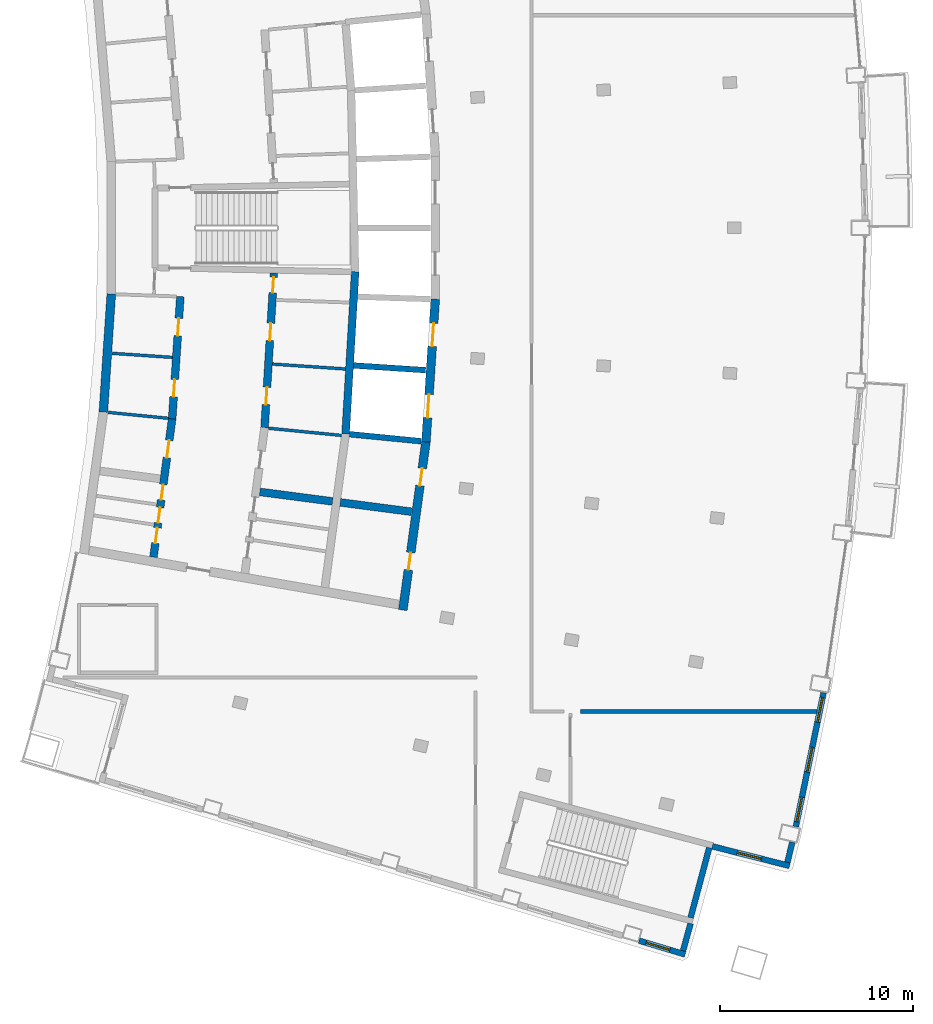
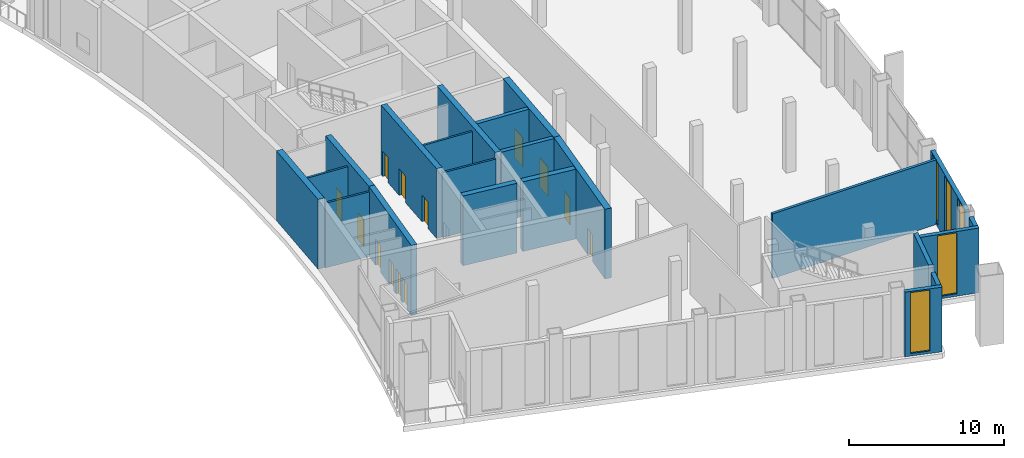
# One storey, part 7 of 13: 22 walls, 13 doors, 5 windows, 18 openings.
"""IFC4 building model written with IfcOpenShell, lengths in metres."""

from ifc_helpers import new_model, si_unit, direction, frame, frame_2d, origin, place, context, subcontext, project, spatial, rectangle, extrude, material, layer, layer_set, type_object, element, fill, save


model = new_model("IFC4")

# Units and contexts
model_context = context("Model", 3, precision=1e-05, world=origin(), true_north=direction((0.0, 1.0)))
body_context = subcontext(model_context, "Body", "Model", "MODEL_VIEW")
ifc_project = project(units=[si_unit("LENGTHUNIT", "METRE"), si_unit("AREAUNIT", "SQUARE_METRE"), si_unit("VOLUMEUNIT", "CUBIC_METRE"), si_unit("PLANEANGLEUNIT", "RADIAN"), si_unit("MASSUNIT", "GRAM", prefix="KILO")], contexts=[model_context])

# Site, building, storey
site_placement = place(None, origin())
site = spatial("IfcSite", under=ifc_project, at=site_placement, CompositionType="ELEMENT")
building_placement = place(site_placement, origin())
building = spatial("IfcBuilding", under=site, at=building_placement, Name="Alderwake Tower", CompositionType="ELEMENT")
storey_placement = place(building_placement, frame((0.0, 0.0, 304.5)))
storey = spatial("IfcBuildingStorey", under=building, at=storey_placement, Name="L74", CompositionType="ELEMENT", Elevation=304.5)

# Walls
ifc_material_1 = material(Name="Gypsum shaft wall system, rated")
ifc_layer_1 = layer(ifc_material_1, 0.14990234375)
ifc_layer_set_1 = layer_set([ifc_layer_1], Name="Core room partition 150")
wall_type_1 = type_object("IfcWallType", Name="Core room partition 150", PredefinedType="PARTITIONING", material=ifc_layer_set_1)
wall_1_placement = place(storey_placement, frame((16.510009765625, 51.463134765625, 0.0), z_axis=(0.0, 0.0, 1.0), x_axis=(0.995158089271, -0.098287218693, 0.0)))
element("IfcWall", 1, at=wall_1_placement, inside=storey, type_object=wall_type_1, Name="CW/L74/PR-103_+0", PredefinedType="PARTITIONING", context=body_context, shape_type="SweptSolid", body=[
    extrude(rectangle(XDim=3.119873046875, YDim=0.14990234375, at=frame_2d((1.56005859375, 0.0))), origin(), (0.0, 0.0, 1.0), 5.10009765625),
])
wall_2_placement = place(storey_placement, frame((24.789794921875, 50.64501953125, 0.0), z_axis=(0.0, 0.0, 1.0), x_axis=(0.995153039802, -0.098338331148, 0.0)))
element("IfcWall", 2, at=wall_2_placement, inside=storey, type_object=wall_type_1, Name="CW/L74/PR-103_+86", PredefinedType="PARTITIONING", context=body_context, shape_type="SweptSolid", body=[
    extrude(rectangle(XDim=3.7958984375, YDim=0.14990234375, at=frame_2d((1.89794921875, 0.0))), origin(), (0.0, 0.0, 1.0), 5.10009765625),
])
wall_3_placement = place(storey_placement, frame((16.714599609375, 54.51611328125, 0.0), z_axis=(0.0, 0.0, 1.0), x_axis=(0.997762234673, -0.066861970214, 0.0)))
element("IfcWall", 3, at=wall_3_placement, inside=storey, type_object=wall_type_1, Name="CW/L74/PR-70_+0", PredefinedType="PARTITIONING", context=body_context, shape_type="SweptSolid", body=[
    extrude(rectangle(XDim=3.118408203125, YDim=0.14990234375, at=frame_2d((1.55908203125, 0.0))), origin(), (0.0, 0.0, 1.0), 5.10009765625),
])
wall_4_placement = place(storey_placement, frame((24.990234375, 53.96142578125, 0.0), z_axis=(0.0, 0.0, 1.0), x_axis=(0.997761767472, -0.066868941756, 0.0)))
element("IfcWall", 4, at=wall_4_placement, inside=storey, type_object=wall_type_1, Name="CW/L74/PR-70_+86", PredefinedType="PARTITIONING", context=body_context, shape_type="SweptSolid", body=[
    extrude(rectangle(XDim=3.797119140625, YDim=0.14990234375, at=frame_2d((1.8984375, 0.0))), origin(), (0.0, 0.0, 1.0), 5.10009765625),
])
ifc_material_2 = material(Name="Concrete C70/85", Category="concrete")
ifc_layer_2 = layer(ifc_material_2, 0.449951171875)
ifc_layer_set_2 = layer_set([ifc_layer_2], Name="Core wall outer 450 C70-85")
wall_type_2 = type_object("IfcWallType", Name="Core wall outer 450 C70-85", PredefinedType="SHEAR", material=ifc_layer_set_2)
wall_5_placement = place(storey_placement, frame((16.255615234375, 51.47998046875, 0.0), z_axis=(0.0, 0.0, 1.0), x_axis=(0.066897619552, 0.997759845102, 0.0)))
element("IfcWall", 5, at=wall_5_placement, inside=storey, type_object=wall_type_2, Name="Core wall CW.027", PredefinedType="SHEAR", context=body_context, shape_type="SweptSolid", body=[
    extrude(rectangle(XDim=6.1201171875, YDim=0.449951171875, at=frame_2d((3.06005859375, 0.0))), origin(), (0.0, 0.0, 1.0), 5.5),
])

# Wall, openings, doors
wall_6_placement = place(storey_placement, frame((32.936767578125, 49.95751953125, 0.0), z_axis=(0.0, 0.0, 1.0), x_axis=(-0.135866240661, -0.99072718982, 0.0)))
wall_6 = element("IfcWall", 6, at=wall_6_placement, inside=storey, type_object=wall_type_2, Name="Core wall CW.022", PredefinedType="SHEAR", context=body_context, shape_type="SweptSolid", body=[
    extrude(rectangle(XDim=8.7958984375, YDim=0.449951171875, at=frame_2d((4.39794921875, 0.0))), origin(), (0.0, 0.0, 1.0), 5.5),
])
opening_1_placement = place(wall_6_placement, frame((1.40234375, 0.0, 0.0)))
opening_1 = element("IfcOpeningElement", 7, at=opening_1_placement, cuts=wall_6, Name="Opening C050", PredefinedType="OPENING", context=body_context, shape_type="SweptSolid", body=[
    extrude(rectangle(XDim=0.89990234375, YDim=2.10009765625, at=frame_2d((0.449951171875, 1.050048828125))), frame((0.0, 0.23486328125, 0.0), z_axis=(0.0, -1.0, 0.0), x_axis=(1.0, 0.0, 0.0)), (0.0, 0.0, 1.0), 0.469970703125),
])
opening_2_placement = place(wall_6_placement, frame((5.796875, 0.0, 0.0)))
opening_2 = element("IfcOpeningElement", 8, at=opening_2_placement, cuts=wall_6, Name="Opening C061", PredefinedType="OPENING", context=body_context, shape_type="SweptSolid", body=[
    extrude(rectangle(XDim=0.89990234375, YDim=2.10009765625, at=frame_2d((0.449951171875, 1.050048828125))), frame((0.0, 0.23486328125, 0.0), z_axis=(0.0, -1.0, 0.0), x_axis=(1.0, 0.0, 0.0)), (0.0, 0.0, 1.0), 0.469970703125),
])
ifc_material_3 = material(Name="Painted steel leaf", Category="steel")
door_type_1 = type_object("IfcDoorType", Name="Core room door 900", OperationType="SINGLE_SWING_LEFT", PredefinedType="DOOR", material=ifc_material_3)
door_1_placement = place(opening_1_placement, origin())
door_1 = element("IfcDoor", 9, at=door_1_placement, inside=storey, type_object=door_type_1, Name="Room door", OperationType="SINGLE_SWING_RIGHT", OverallHeight=2.10009765625, OverallWidth=0.89990234375, PredefinedType="DOOR", context=body_context, shape_type="SweptSolid", body=[
    extrude(rectangle(XDim=0.89990234375, YDim=2.10009765625, at=frame_2d((0.449951171875, 1.050048828125))), frame((0.0, 0.02490234375, 0.0), z_axis=(0.0, -1.0, 0.0), x_axis=(1.0, 0.0, 0.0)), (0.0, 0.0, 1.0), 0.050048828125),
])
fill(opening_1, door_1)
door_2_placement = place(opening_2_placement, origin())
door_2 = element("IfcDoor", 10, at=door_2_placement, inside=storey, type_object=door_type_1, Name="Room door", OperationType="SINGLE_SWING_LEFT", OverallHeight=2.10009765625, OverallWidth=0.89990234375, PredefinedType="DOOR", context=body_context, shape_type="SweptSolid", body=[
    extrude(rectangle(XDim=0.89990234375, YDim=2.10009765625, at=frame_2d((0.449951171875, 1.050048828125))), frame((0.0, 0.02490234375, 0.0), z_axis=(0.0, -1.0, 0.0), x_axis=(1.0, 0.0, 0.0)), (0.0, 0.0, 1.0), 0.050048828125),
])
fill(opening_2, door_2)

wall_7_placement = place(storey_placement, frame((32.93505859375, 49.940673828125, 0.0), z_axis=(0.0, 0.0, 1.0), x_axis=(0.064980500916, 0.997886533881, 0.0)))
wall_7 = element("IfcWall", 11, at=wall_7_placement, inside=storey, type_object=wall_type_2, Name="Core wall CW.021", PredefinedType="SHEAR", context=body_context, shape_type="SweptSolid", body=[
    extrude(rectangle(XDim=7.39404296875, YDim=0.449951171875, at=frame_2d((3.697021484375, 0.0))), origin(), (0.0, 0.0, 1.0), 5.5),
])
opening_3_placement = place(wall_7_placement, frame((1.252685546875, 0.0, 0.0)))
opening_3 = element("IfcOpeningElement", 12, at=opening_3_placement, cuts=wall_7, Name="Opening LD-HP1", PredefinedType="OPENING", context=body_context, shape_type="SweptSolid", body=[
    extrude(rectangle(XDim=1.199951171875, YDim=2.300048828125, at=frame_2d((0.60009765625, 1.14990234375))), frame((0.0, 0.23486328125, 0.0), z_axis=(0.0, -1.0, 0.0), x_axis=(1.0, 0.0, 0.0)), (0.0, 0.0, 1.0), 0.469970703125),
])
opening_4_placement = place(wall_7_placement, frame((4.94189453125, 0.0, 0.0)))
opening_4 = element("IfcOpeningElement", 13, at=opening_4_placement, cuts=wall_7, Name="Opening LD-HP2", PredefinedType="OPENING", context=body_context, shape_type="SweptSolid", body=[
    extrude(rectangle(XDim=1.199951171875, YDim=2.300048828125, at=frame_2d((0.60009765625, 1.14990234375))), frame((0.0, 0.23486328125, 0.0), z_axis=(0.0, -1.0, 0.0), x_axis=(1.0, 0.0, 0.0)), (0.0, 0.0, 1.0), 0.469970703125),
])
ifc_material_4 = material(Name="Stainless steel sliding leaf", Category="steel")
door_type_2 = type_object("IfcDoorType", Name="Lift landing door 1200", OperationType="SLIDING_TO_LEFT", PredefinedType="DOOR", material=ifc_material_4)
door_3_placement = place(opening_3_placement, origin())
door_3 = element("IfcDoor", 14, at=door_3_placement, inside=storey, type_object=door_type_2, Name="Lift landing door HP1", OperationType="SLIDING_TO_LEFT", OverallHeight=2.300048828125, OverallWidth=1.199951171875, PredefinedType="DOOR", context=body_context, shape_type="SweptSolid", body=[
    extrude(rectangle(XDim=1.199951171875, YDim=2.300048828125, at=frame_2d((0.60009765625, 1.14990234375))), frame((0.0, 0.02490234375, 0.0), z_axis=(0.0, -1.0, 0.0), x_axis=(1.0, 0.0, 0.0)), (0.0, 0.0, 1.0), 0.050048828125),
])
fill(opening_3, door_3)
door_4_placement = place(opening_4_placement, origin())
door_4 = element("IfcDoor", 15, at=door_4_placement, inside=storey, type_object=door_type_2, Name="Lift landing door HP2", OperationType="SLIDING_TO_LEFT", OverallHeight=2.300048828125, OverallWidth=1.199951171875, PredefinedType="DOOR", context=body_context, shape_type="SweptSolid", body=[
    extrude(rectangle(XDim=1.199951171875, YDim=2.300048828125, at=frame_2d((0.60009765625, 1.14990234375))), frame((0.0, 0.02490234375, 0.0), z_axis=(0.0, -1.0, 0.0), x_axis=(1.0, 0.0, 0.0)), (0.0, 0.0, 1.0), 0.050048828125),
])
fill(opening_4, door_4)

# Walls
ifc_material_5 = material(Name="Concrete C70/85", Category="concrete")
ifc_layer_3 = layer(ifc_material_5, 0.300048828125)
ifc_layer_set_3 = layer_set([ifc_layer_3], Name="Core wall shaft 300 C70-85")
wall_type_3 = type_object("IfcWallType", Name="Core wall shaft 300 C70-85", PredefinedType="SHEAR", material=ifc_layer_set_3)
wall_8_placement = place(storey_placement, frame((28.9794921875, 50.336181640625, 0.0), z_axis=(0.0, 0.0, 1.0), x_axis=(0.995245505393, -0.097398069771, 0.0)))
element("IfcWall", 16, at=wall_8_placement, inside=storey, type_object=wall_type_3, Name="Core wall CW.064", PredefinedType="SHEAR", context=body_context, shape_type="SweptSolid", body=[
    extrude(rectangle(XDim=3.7197265625, YDim=0.300048828125, at=frame_2d((1.85986328125, 0.0))), origin(), (0.0, 0.0, 1.0), 5.5),
])
wall_9_placement = place(storey_placement, frame((29.190185546875, 53.8896484375, 0.0), z_axis=(0.0, 0.0, 1.0), x_axis=(0.997886830624, -0.064975943752, 0.0)))
element("IfcWall", 17, at=wall_9_placement, inside=storey, type_object=wall_type_3, Name="Core wall CW.078", PredefinedType="SHEAR", context=body_context, shape_type="SweptSolid", body=[
    extrude(rectangle(XDim=3.738525390625, YDim=0.300048828125, at=frame_2d((1.869140625, 0.0))), origin(), (0.0, 0.0, 1.0), 5.5),
])

# Wall, openings, doors
ifc_material_6 = material(Name="Concrete C70/85", Category="concrete")
ifc_layer_4 = layer(ifc_material_6, 0.39990234375)
ifc_layer_set_4 = layer_set([ifc_layer_4], Name="Core wall spine 400 C70-85")
wall_type_4 = type_object("IfcWallType", Name="Core wall spine 400 C70-85", PredefinedType="SHEAR", material=ifc_layer_set_4)
wall_10_placement = place(storey_placement, frame((19.814697265625, 51.143798828125, 0.0), z_axis=(0.0, 0.0, 1.0), x_axis=(-0.13407924926, -0.99097061254, 0.0)))
wall_10 = element("IfcWall", 18, at=wall_10_placement, inside=storey, type_object=wall_type_4, Name="Core wall CW.033", PredefinedType="SHEAR", context=body_context, shape_type="SweptSolid", body=[
    extrude(rectangle(XDim=7.228759765625, YDim=0.39990234375, at=frame_2d((3.6142578125, 0.0))), origin(), (0.0, 0.0, 1.0), 5.5),
])
opening_5_placement = place(wall_10_placement, frame((5.697021484375, 0.0, 0.0)))
opening_5 = element("IfcOpeningElement", 19, at=opening_5_placement, cuts=wall_10, Name="Opening C009", PredefinedType="OPENING", context=body_context, shape_type="SweptSolid", body=[
    extrude(rectangle(XDim=0.800048828125, YDim=2.0, at=frame_2d((0.39990234375, 1.0))), frame((0.0, 0.2099609375, 0.0), z_axis=(0.0, -1.0, 0.0), x_axis=(1.0, 0.0, 0.0)), (0.0, 0.0, 1.0), 0.419921875),
])
opening_6_placement = place(wall_10_placement, frame((4.64208984375, 0.0, 0.0)))
opening_6 = element("IfcOpeningElement", 20, at=opening_6_placement, cuts=wall_10, Name="Opening C011", PredefinedType="OPENING", context=body_context, shape_type="SweptSolid", body=[
    extrude(rectangle(XDim=0.800048828125, YDim=2.0, at=frame_2d((0.39990234375, 1.0))), frame((0.0, 0.2099609375, 0.0), z_axis=(0.0, -1.0, 0.0), x_axis=(1.0, 0.0, 0.0)), (0.0, 0.0, 1.0), 0.419921875),
])
opening_7_placement = place(wall_10_placement, frame((3.443115234375, 0.0, 0.0)))
opening_7 = element("IfcOpeningElement", 21, at=opening_7_placement, cuts=wall_10, Name="Opening C012", PredefinedType="OPENING", context=body_context, shape_type="SweptSolid", body=[
    extrude(rectangle(XDim=0.800048828125, YDim=2.0, at=frame_2d((0.39990234375, 1.0))), frame((0.0, 0.2099609375, 0.0), z_axis=(0.0, -1.0, 0.0), x_axis=(1.0, 0.0, 0.0)), (0.0, 0.0, 1.0), 0.419921875),
])
opening_8_placement = place(wall_10_placement, frame((1.13916015625, 0.0, 0.0)))
opening_8 = element("IfcOpeningElement", 22, at=opening_8_placement, cuts=wall_10, Name="Opening C039", PredefinedType="OPENING", context=body_context, shape_type="SweptSolid", body=[
    extrude(rectangle(XDim=0.89990234375, YDim=2.10009765625, at=frame_2d((0.449951171875, 1.050048828125))), frame((0.0, 0.2099609375, 0.0), z_axis=(0.0, -1.0, 0.0), x_axis=(1.0, 0.0, 0.0)), (0.0, 0.0, 1.0), 0.419921875),
])
door_5_placement = place(opening_8_placement, origin())
door_5 = element("IfcDoor", 23, at=door_5_placement, inside=storey, type_object=door_type_1, Name="Room door", OperationType="SINGLE_SWING_RIGHT", OverallHeight=2.10009765625, OverallWidth=0.89990234375, PredefinedType="DOOR", context=body_context, shape_type="SweptSolid", body=[
    extrude(rectangle(XDim=0.89990234375, YDim=2.10009765625, at=frame_2d((0.449951171875, 1.050048828125))), frame((0.0, 0.02490234375, 0.0), z_axis=(0.0, -1.0, 0.0), x_axis=(1.0, 0.0, 0.0)), (0.0, 0.0, 1.0), 0.050048828125),
])
fill(opening_8, door_5)
ifc_material_7 = material(Name="Painted steel leaf, rated", Category="steel")
door_type_3 = type_object("IfcDoorType", Name="Riser access door 800", OperationType="SINGLE_SWING_LEFT", PredefinedType="DOOR", material=ifc_material_7)
door_6_placement = place(opening_5_placement, origin())
door_6 = element("IfcDoor", 24, at=door_6_placement, inside=storey, type_object=door_type_3, Name="Riser access door", OperationType="SINGLE_SWING_LEFT", OverallHeight=2.0, OverallWidth=0.800048828125, PredefinedType="DOOR", context=body_context, shape_type="SweptSolid", body=[
    extrude(rectangle(XDim=0.800048828125, YDim=2.0, at=frame_2d((0.39990234375, 1.0))), frame((0.0, 0.02490234375, 0.0), z_axis=(0.0, -1.0, 0.0), x_axis=(1.0, 0.0, 0.0)), (0.0, 0.0, 1.0), 0.050048828125),
])
fill(opening_5, door_6)
door_7_placement = place(opening_6_placement, origin())
door_7 = element("IfcDoor", 25, at=door_7_placement, inside=storey, type_object=door_type_3, Name="Riser access door", OperationType="SINGLE_SWING_RIGHT", OverallHeight=2.0, OverallWidth=0.800048828125, PredefinedType="DOOR", context=body_context, shape_type="SweptSolid", body=[
    extrude(rectangle(XDim=0.800048828125, YDim=2.0, at=frame_2d((0.39990234375, 1.0))), frame((0.0, 0.02490234375, 0.0), z_axis=(0.0, -1.0, 0.0), x_axis=(1.0, 0.0, 0.0)), (0.0, 0.0, 1.0), 0.050048828125),
])
fill(opening_6, door_7)
door_8_placement = place(opening_7_placement, origin())
door_8 = element("IfcDoor", 26, at=door_8_placement, inside=storey, type_object=door_type_3, Name="Riser access door", OperationType="SINGLE_SWING_LEFT", OverallHeight=2.0, OverallWidth=0.800048828125, PredefinedType="DOOR", context=body_context, shape_type="SweptSolid", body=[
    extrude(rectangle(XDim=0.800048828125, YDim=2.0, at=frame_2d((0.39990234375, 1.0))), frame((0.0, 0.02490234375, 0.0), z_axis=(0.0, -1.0, 0.0), x_axis=(1.0, 0.0, 0.0)), (0.0, 0.0, 1.0), 0.050048828125),
])
fill(opening_7, door_8)

wall_11_placement = place(storey_placement, frame((20.2373046875, 57.451904296875, 0.0), z_axis=(0.0, 0.0, 1.0), x_axis=(-0.066884681503, -0.997760712486, 0.0)))
wall_11 = element("IfcWall", 27, at=wall_11_placement, inside=storey, type_object=wall_type_4, Name="Core wall CW.032", PredefinedType="SHEAR", context=body_context, shape_type="SweptSolid", body=[
    extrude(rectangle(XDim=6.336669921875, YDim=0.39990234375, at=frame_2d((3.16845703125, 0.0))), origin(), (0.0, 0.0, 1.0), 5.5),
])
opening_9_placement = place(wall_11_placement, frame((4.297119140625, 0.0, 0.0)))
opening_9 = element("IfcOpeningElement", 28, at=opening_9_placement, cuts=wall_11, Name="Opening C041", PredefinedType="OPENING", context=body_context, shape_type="SweptSolid", body=[
    extrude(rectangle(XDim=0.89990234375, YDim=2.10009765625, at=frame_2d((0.449951171875, 1.050048828125))), frame((0.0, 0.2099609375, 0.0), z_axis=(0.0, -1.0, 0.0), x_axis=(1.0, 0.0, 0.0)), (0.0, 0.0, 1.0), 0.419921875),
])
opening_10_placement = place(wall_11_placement, frame((1.132080078125, 0.0, 0.0)))
opening_10 = element("IfcOpeningElement", 29, at=opening_10_placement, cuts=wall_11, Name="Opening C042", PredefinedType="OPENING", context=body_context, shape_type="SweptSolid", body=[
    extrude(rectangle(XDim=0.89990234375, YDim=2.10009765625, at=frame_2d((0.449951171875, 1.050048828125))), frame((0.0, 0.2099609375, 0.0), z_axis=(0.0, -1.0, 0.0), x_axis=(1.0, 0.0, 0.0)), (0.0, 0.0, 1.0), 0.419921875),
])
door_9_placement = place(opening_9_placement, origin())
door_9 = element("IfcDoor", 30, at=door_9_placement, inside=storey, type_object=door_type_1, Name="Room door", OperationType="SINGLE_SWING_LEFT", OverallHeight=2.10009765625, OverallWidth=0.89990234375, PredefinedType="DOOR", context=body_context, shape_type="SweptSolid", body=[
    extrude(rectangle(XDim=0.89990234375, YDim=2.10009765625, at=frame_2d((0.449951171875, 1.050048828125))), frame((0.0, 0.02490234375, 0.0), z_axis=(0.0, -1.0, 0.0), x_axis=(1.0, 0.0, 0.0)), (0.0, 0.0, 1.0), 0.050048828125),
])
fill(opening_9, door_9)
door_10_placement = place(opening_10_placement, origin())
door_10 = element("IfcDoor", 31, at=door_10_placement, inside=storey, type_object=door_type_1, Name="Room door", OperationType="SINGLE_SWING_RIGHT", OverallHeight=2.10009765625, OverallWidth=0.89990234375, PredefinedType="DOOR", context=body_context, shape_type="SweptSolid", body=[
    extrude(rectangle(XDim=0.89990234375, YDim=2.10009765625, at=frame_2d((0.449951171875, 1.050048828125))), frame((0.0, 0.02490234375, 0.0), z_axis=(0.0, -1.0, 0.0), x_axis=(1.0, 0.0, 0.0)), (0.0, 0.0, 1.0), 0.050048828125),
])
fill(opening_10, door_10)

wall_12_placement = place(storey_placement, frame((24.590087890625, 50.65673828125, 0.0), z_axis=(0.0, 0.0, 1.0), x_axis=(0.060318641452, 0.998179173041, 0.0)))
wall_12 = element("IfcWall", 32, at=wall_12_placement, inside=storey, type_object=wall_type_4, Name="Core wall CW.046", PredefinedType="SHEAR", context=body_context, shape_type="SweptSolid", body=[
    extrude(rectangle(XDim=8.022216796875, YDim=0.39990234375, at=frame_2d((4.01123046875, 0.0))), origin(), (0.0, 0.0, 1.0), 5.5),
])
opening_11_placement = place(wall_12_placement, frame((7.006103515625, 0.0, 0.0)))
opening_11 = element("IfcOpeningElement", 33, at=opening_11_placement, cuts=wall_12, Name="Opening C006", PredefinedType="OPENING", context=body_context, shape_type="SweptSolid", body=[
    extrude(rectangle(XDim=0.800048828125, YDim=2.0, at=frame_2d((0.39990234375, 1.0))), frame((0.0, 0.2099609375, 0.0), z_axis=(0.0, -1.0, 0.0), x_axis=(1.0, 0.0, 0.0)), (0.0, 0.0, 1.0), 0.419921875),
])
opening_12_placement = place(wall_12_placement, frame((1.21533203125, 0.0, 0.0)))
opening_12 = element("IfcOpeningElement", 34, at=opening_12_placement, cuts=wall_12, Name="Opening C047", PredefinedType="OPENING", context=body_context, shape_type="SweptSolid", body=[
    extrude(rectangle(XDim=0.89990234375, YDim=2.10009765625, at=frame_2d((0.449951171875, 1.050048828125))), frame((0.0, 0.2099609375, 0.0), z_axis=(0.0, -1.0, 0.0), x_axis=(1.0, 0.0, 0.0)), (0.0, 0.0, 1.0), 0.419921875),
])
opening_13_placement = place(wall_12_placement, frame((4.531982421875, 0.0, 0.0)))
opening_13 = element("IfcOpeningElement", 35, at=opening_13_placement, cuts=wall_12, Name="Opening C048", PredefinedType="OPENING", context=body_context, shape_type="SweptSolid", body=[
    extrude(rectangle(XDim=0.89990234375, YDim=2.10009765625, at=frame_2d((0.449951171875, 1.050048828125))), frame((0.0, 0.2099609375, 0.0), z_axis=(0.0, -1.0, 0.0), x_axis=(1.0, 0.0, 0.0)), (0.0, 0.0, 1.0), 0.419921875),
])
door_11_placement = place(opening_12_placement, origin())
door_11 = element("IfcDoor", 36, at=door_11_placement, inside=storey, type_object=door_type_1, Name="Room door", OperationType="SINGLE_SWING_RIGHT", OverallHeight=2.10009765625, OverallWidth=0.89990234375, PredefinedType="DOOR", context=body_context, shape_type="SweptSolid", body=[
    extrude(rectangle(XDim=0.89990234375, YDim=2.10009765625, at=frame_2d((0.449951171875, 1.050048828125))), frame((0.0, 0.02490234375, 0.0), z_axis=(0.0, -1.0, 0.0), x_axis=(1.0, 0.0, 0.0)), (0.0, 0.0, 1.0), 0.050048828125),
])
fill(opening_12, door_11)
door_12_placement = place(opening_13_placement, origin())
door_12 = element("IfcDoor", 37, at=door_12_placement, inside=storey, type_object=door_type_1, Name="Room door", OperationType="SINGLE_SWING_LEFT", OverallHeight=2.10009765625, OverallWidth=0.89990234375, PredefinedType="DOOR", context=body_context, shape_type="SweptSolid", body=[
    extrude(rectangle(XDim=0.89990234375, YDim=2.10009765625, at=frame_2d((0.449951171875, 1.050048828125))), frame((0.0, 0.02490234375, 0.0), z_axis=(0.0, -1.0, 0.0), x_axis=(1.0, 0.0, 0.0)), (0.0, 0.0, 1.0), 0.050048828125),
])
fill(opening_13, door_12)
door_13_placement = place(opening_11_placement, origin())
door_13 = element("IfcDoor", 38, at=door_13_placement, inside=storey, type_object=door_type_3, Name="Riser access door", OperationType="SINGLE_SWING_RIGHT", OverallHeight=2.0, OverallWidth=0.800048828125, PredefinedType="DOOR", context=body_context, shape_type="SweptSolid", body=[
    extrude(rectangle(XDim=0.800048828125, YDim=2.0, at=frame_2d((0.39990234375, 1.0))), frame((0.0, 0.02490234375, 0.0), z_axis=(0.0, -1.0, 0.0), x_axis=(1.0, 0.0, 0.0)), (0.0, 0.0, 1.0), 0.050048828125),
])
fill(opening_11, door_13)

# Walls
wall_13_placement = place(storey_placement, frame((28.780029296875, 50.34765625, 0.0), z_axis=(0.0, 0.0, 1.0), x_axis=(0.05912910263, 0.998250343963, 0.0)))
element("IfcWall", 39, at=wall_13_placement, inside=storey, type_object=wall_type_4, Name="Core wall CW.004", PredefinedType="SHEAR", context=body_context, shape_type="SweptSolid", body=[
    extrude(rectangle(XDim=8.40234375, YDim=0.39990234375, at=frame_2d((4.201171875, 0.0))), origin(), (0.0, 0.0, 1.0), 5.5),
])
wall_14_placement = place(storey_placement, frame((24.343994140625, 47.3525390625, 0.0), z_axis=(0.0, 0.0, 1.0), x_axis=(0.991552989286, -0.12970223374, 0.0)))
element("IfcWall", 40, at=wall_14_placement, inside=storey, type_object=wall_type_4, Name="Core wall CW.069", PredefinedType="SHEAR", context=body_context, shape_type="SweptSolid", body=[
    extrude(rectangle(XDim=3.794677734375, YDim=0.39990234375, at=frame_2d((1.8974609375, 0.0))), origin(), (0.0, 0.0, 1.0), 5.5),
])
wall_15_placement = place(storey_placement, frame((28.50341796875, 46.80859375, 0.0), z_axis=(0.0, 0.0, 1.0), x_axis=(0.991550794587, -0.129719010761, 0.0)))
element("IfcWall", 41, at=wall_15_placement, inside=storey, type_object=wall_type_4, Name="Core wall CW.068", PredefinedType="SHEAR", context=body_context, shape_type="SweptSolid", body=[
    extrude(rectangle(XDim=3.70947265625, YDim=0.39990234375, at=frame_2d((1.854736328125, 0.0))), origin(), (0.0, 0.0, 1.0), 5.5),
])
ifc_material_8 = material(Name="Concrete C70/85", Category="concrete")
ifc_layer_5 = layer(ifc_material_8, 0.300048828125)
ifc_layer_set_5 = layer_set([ifc_layer_5], Name="Core wall stair enclosure 300 C70-85")
wall_type_5 = type_object("IfcWallType", Name="Core wall stair enclosure 300 C70-85", PredefinedType="SHEAR", material=ifc_layer_set_5)
wall_16_placement = place(storey_placement, frame((46.6162109375, 25.334716796875, 0.0), z_axis=(0.0, 0.0, 1.0), x_axis=(0.257366821694, 0.966313778796, 0.0)))
element("IfcWall", 42, at=wall_16_placement, inside=storey, type_object=wall_type_5, Name="Core wall CW.085", PredefinedType="SHEAR", context=body_context, shape_type="SweptSolid", body=[
    extrude(rectangle(XDim=3.749755859375, YDim=0.300048828125, at=frame_2d((1.875, 0.0))), origin(), (0.0, 0.0, 1.0), 5.5),
])
ifc_material_9 = material(Name="Precast concrete C50/60 spandrel panel", Category="concrete")
ifc_layer_6 = layer(ifc_material_9, 0.300048828125)
ifc_layer_set_6 = layer_set([ifc_layer_6], Name="External wall EW1 Precast concrete C50/60 spandrel")
wall_type_6 = type_object("IfcWallType", Name="External wall EW1 Precast concrete C50/60 spandrel", PredefinedType="SOLIDWALL", material=ifc_layer_set_6)
wall_17_placement = place(storey_placement, frame((51.621826171875, 28.19921875, 0.0), z_axis=(0.0, 0.0, 1.0), x_axis=(0.238302541545, 0.971190969219, 0.0)))
element("IfcWall", 43, at=wall_17_placement, inside=storey, type_object=wall_type_6, Name="External wall 11", PredefinedType="SOLIDWALL", context=body_context, shape_type="SweptSolid", body=[
    extrude(rectangle(XDim=1.07275390625, YDim=0.300048828125, at=frame_2d((0.536376953125, 0.0))), origin(), (0.0, 0.0, 1.0), 5.10009765625),
])

# Wall, openings, windows
wall_18_placement = place(storey_placement, frame((52.0595703125, 30.047607421875, 0.0), z_axis=(0.0, 0.0, 1.0), x_axis=(0.202747225934, 0.979231107745, 0.0)))
wall_18 = element("IfcWall", 44, at=wall_18_placement, inside=storey, type_object=wall_type_6, Name="External wall 12", PredefinedType="SOLIDWALL", context=body_context, shape_type="SweptSolid", body=[
    extrude(rectangle(XDim=7.068359375, YDim=0.300048828125, at=frame_2d((3.5341796875, 0.0))), origin(), (0.0, 0.0, 1.0), 5.10009765625),
])
opening_14_placement = place(wall_18_placement, frame((0.251708984375, 0.0, 0.199951171875)))
opening_14 = element("IfcOpeningElement", 45, at=opening_14_placement, cuts=wall_18, Name="Opening W3", PredefinedType="OPENING", context=body_context, shape_type="SweptSolid", body=[
    extrude(rectangle(XDim=1.300048828125, YDim=4.800048828125, at=frame_2d((0.64990234375, 2.39990234375))), frame((0.0, 0.159912109375, 0.0), z_axis=(0.0, -1.0, 0.0), x_axis=(1.0, 0.0, 0.0)), (0.0, 0.0, 1.0), 0.320068359375),
])
opening_15_placement = place(wall_18_placement, frame((2.88427734375, 0.0, 0.199951171875)))
opening_15 = element("IfcOpeningElement", 46, at=opening_15_placement, cuts=wall_18, Name="Opening W3", PredefinedType="OPENING", context=body_context, shape_type="SweptSolid", body=[
    extrude(rectangle(XDim=1.300048828125, YDim=4.800048828125, at=frame_2d((0.64990234375, 2.39990234375))), frame((0.0, 0.159912109375, 0.0), z_axis=(0.0, -1.0, 0.0), x_axis=(1.0, 0.0, 0.0)), (0.0, 0.0, 1.0), 0.320068359375),
])
opening_16_placement = place(wall_18_placement, frame((5.5166015625, 0.0, 0.199951171875)))
opening_16 = element("IfcOpeningElement", 47, at=opening_16_placement, cuts=wall_18, Name="Opening W3", PredefinedType="OPENING", context=body_context, shape_type="SweptSolid", body=[
    extrude(rectangle(XDim=1.300048828125, YDim=4.800048828125, at=frame_2d((0.64990234375, 2.39990234375))), frame((0.0, 0.159912109375, 0.0), z_axis=(0.0, -1.0, 0.0), x_axis=(1.0, 0.0, 0.0)), (0.0, 0.0, 1.0), 0.320068359375),
])
ifc_material_10 = material(Name="Bronze tinted glass in aluminium frame", Category="aluminium")
window_type = type_object("IfcWindowType", Name="Window W3 amenity floor tall", PartitioningType="DOUBLE_PANEL_VERTICAL", PredefinedType="WINDOW", material=ifc_material_10)
window_1_placement = place(opening_14_placement, origin())
window_1 = element("IfcWindow", 48, at=window_1_placement, inside=storey, type_object=window_type, Name="Window W3 amenity floor tall", OverallHeight=4.800048828125, OverallWidth=1.300048828125, PartitioningType="DOUBLE_PANEL_VERTICAL", PredefinedType="WINDOW", context=body_context, shape_type="SweptSolid", body=[
    extrude(rectangle(XDim=1.300048828125, YDim=4.800048828125, at=frame_2d((0.64990234375, 2.39990234375))), frame((0.0, 0.030029296875, 0.0), z_axis=(0.0, -1.0, 0.0), x_axis=(1.0, 0.0, 0.0)), (0.0, 0.0, 1.0), 0.06005859375),
])
fill(opening_14, window_1)
window_2_placement = place(opening_15_placement, origin())
window_2 = element("IfcWindow", 49, at=window_2_placement, inside=storey, type_object=window_type, Name="Window W3 amenity floor tall", OverallHeight=4.800048828125, OverallWidth=1.300048828125, PartitioningType="DOUBLE_PANEL_VERTICAL", PredefinedType="WINDOW", context=body_context, shape_type="SweptSolid", body=[
    extrude(rectangle(XDim=1.300048828125, YDim=4.800048828125, at=frame_2d((0.64990234375, 2.39990234375))), frame((0.0, 0.030029296875, 0.0), z_axis=(0.0, -1.0, 0.0), x_axis=(1.0, 0.0, 0.0)), (0.0, 0.0, 1.0), 0.06005859375),
])
fill(opening_15, window_2)
window_3_placement = place(opening_16_placement, origin())
window_3 = element("IfcWindow", 50, at=window_3_placement, inside=storey, type_object=window_type, Name="Window W3 amenity floor tall", OverallHeight=4.800048828125, OverallWidth=1.300048828125, PartitioningType="DOUBLE_PANEL_VERTICAL", PredefinedType="WINDOW", context=body_context, shape_type="SweptSolid", body=[
    extrude(rectangle(XDim=1.300048828125, YDim=4.800048828125, at=frame_2d((0.64990234375, 2.39990234375))), frame((0.0, 0.030029296875, 0.0), z_axis=(0.0, -1.0, 0.0), x_axis=(1.0, 0.0, 0.0)), (0.0, 0.0, 1.0), 0.06005859375),
])
fill(opening_16, window_3)

# Wall, opening, window
ifc_material_11 = material(Name="Bronze metal cladding on lightweight framing")
ifc_layer_7 = layer(ifc_material_11, 0.300048828125)
ifc_layer_set_7 = layer_set([ifc_layer_7], Name="External wall EW2 bronze metal cladding")
wall_type_7 = type_object("IfcWallType", Name="External wall EW2 bronze metal cladding", PredefinedType="SOLIDWALL", material=ifc_layer_set_7)
wall_19_placement = place(storey_placement, frame((43.9560546875, 24.150390625, 0.0), z_axis=(0.0, 0.0, 1.0), x_axis=(0.957747659823, -0.287609840068, 0.0)))
wall_19 = element("IfcWall", 51, at=wall_19_placement, inside=storey, type_object=wall_type_7, Name="External wall 8", PredefinedType="SOLIDWALL", context=body_context, shape_type="SweptSolid", body=[
    extrude(rectangle(XDim=2.4794921875, YDim=0.300048828125, at=frame_2d((1.23974609375, 0.0))), origin(), (0.0, 0.0, 1.0), 5.10009765625),
])
opening_17_placement = place(wall_19_placement, frame((0.364013671875, 0.0, 0.199951171875)))
opening_17 = element("IfcOpeningElement", 52, at=opening_17_placement, cuts=wall_19, Name="Opening W3", PredefinedType="OPENING", context=body_context, shape_type="SweptSolid", body=[
    extrude(rectangle(XDim=1.300048828125, YDim=4.800048828125, at=frame_2d((0.64990234375, 2.39990234375))), frame((0.0, 0.159912109375, 0.0), z_axis=(0.0, -1.0, 0.0), x_axis=(1.0, 0.0, 0.0)), (0.0, 0.0, 1.0), 0.320068359375),
])
window_4_placement = place(opening_17_placement, origin())
window_4 = element("IfcWindow", 53, at=window_4_placement, inside=storey, type_object=window_type, Name="Window W3 amenity floor tall", OverallHeight=4.800048828125, OverallWidth=1.300048828125, PartitioningType="DOUBLE_PANEL_VERTICAL", PredefinedType="WINDOW", context=body_context, shape_type="SweptSolid", body=[
    extrude(rectangle(XDim=1.300048828125, YDim=4.800048828125, at=frame_2d((0.64990234375, 2.39990234375))), frame((0.0, 0.030029296875, 0.0), z_axis=(0.0, -1.0, 0.0), x_axis=(1.0, 0.0, 0.0)), (0.0, 0.0, 1.0), 0.06005859375),
])
fill(opening_17, window_4)

# Wall
wall_20_placement = place(storey_placement, frame((46.22705078125, 23.625, 0.0), z_axis=(0.0, 0.0, 1.0), x_axis=(0.264962940646, 0.964258596065, 0.0)))
element("IfcWall", 54, at=wall_20_placement, inside=storey, type_object=wall_type_7, Name="External wall 9", PredefinedType="SOLIDWALL", context=body_context, shape_type="SweptSolid", body=[
    extrude(rectangle(XDim=1.466064453125, YDim=0.300048828125, at=frame_2d((0.73291015625, 0.0))), origin(), (0.0, 0.0, 1.0), 5.10009765625),
])

# Wall, opening, window
wall_21_placement = place(storey_placement, frame((47.7412109375, 29.026611328125, 0.0), z_axis=(0.0, 0.0, 1.0), x_axis=(0.969426555578, -0.245381648337, 0.0)))
wall_21 = element("IfcWall", 55, at=wall_21_placement, inside=storey, type_object=wall_type_7, Name="External wall 10", PredefinedType="SOLIDWALL", context=body_context, shape_type="SweptSolid", body=[
    extrude(rectangle(XDim=4.115966796875, YDim=0.300048828125, at=frame_2d((2.05810546875, 0.0))), origin(), (0.0, 0.0, 1.0), 5.10009765625),
])
opening_18_placement = place(wall_21_placement, frame((1.319091796875, 0.0, 0.199951171875)))
opening_18 = element("IfcOpeningElement", 56, at=opening_18_placement, cuts=wall_21, Name="Opening W3", PredefinedType="OPENING", context=body_context, shape_type="SweptSolid", body=[
    extrude(rectangle(XDim=1.300048828125, YDim=4.800048828125, at=frame_2d((0.64990234375, 2.39990234375))), frame((0.0, 0.159912109375, 0.0), z_axis=(0.0, -1.0, 0.0), x_axis=(1.0, 0.0, 0.0)), (0.0, 0.0, 1.0), 0.320068359375),
])
window_5_placement = place(opening_18_placement, origin())
window_5 = element("IfcWindow", 57, at=window_5_placement, inside=storey, type_object=window_type, Name="Window W3 amenity floor tall", OverallHeight=4.800048828125, OverallWidth=1.300048828125, PartitioningType="DOUBLE_PANEL_VERTICAL", PredefinedType="WINDOW", context=body_context, shape_type="SweptSolid", body=[
    extrude(rectangle(XDim=1.300048828125, YDim=4.800048828125, at=frame_2d((0.64990234375, 2.39990234375))), frame((0.0, 0.030029296875, 0.0), z_axis=(0.0, -1.0, 0.0), x_axis=(1.0, 0.0, 0.0)), (0.0, 0.0, 1.0), 0.06005859375),
])
fill(opening_18, window_5)

# Wall
ifc_material_12 = material(Name="Dense block masonry wall", Category="masonry")
ifc_layer_8 = layer(ifc_material_12, 0.199951171875)
ifc_layer_set_8 = layer_set([ifc_layer_8], Name="Party wall 200")
wall_type_8 = type_object("IfcWallType", Name="Party wall 200", PredefinedType="SOLIDWALL", material=ifc_layer_set_8)
wall_22_placement = place(storey_placement, frame((40.9208984375, 36.0, 0.0), z_axis=(0.0, 0.0, 1.0), x_axis=(1.0, 0.0, 0.0)))
element("IfcWall", 58, at=wall_22_placement, inside=storey, type_object=wall_type_8, Name="WL/L74/W01", PredefinedType="SOLIDWALL", context=body_context, shape_type="SweptSolid", body=[
    extrude(rectangle(XDim=12.231201171875, YDim=0.199951171875, at=frame_2d((6.11572265625, 0.0))), origin(), (0.0, 0.0, 1.0), 5.10009765625),
])

save(model, "model.ifc")
